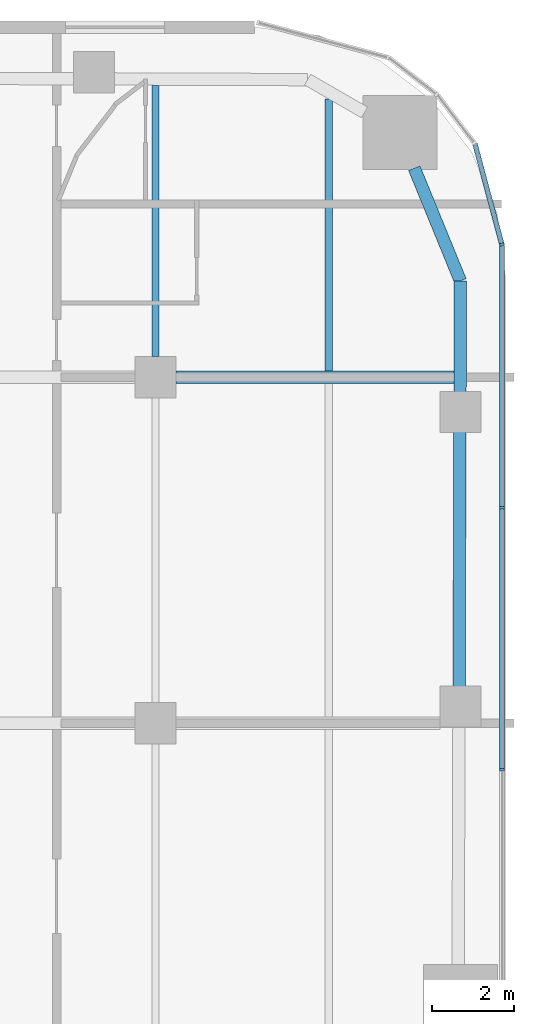
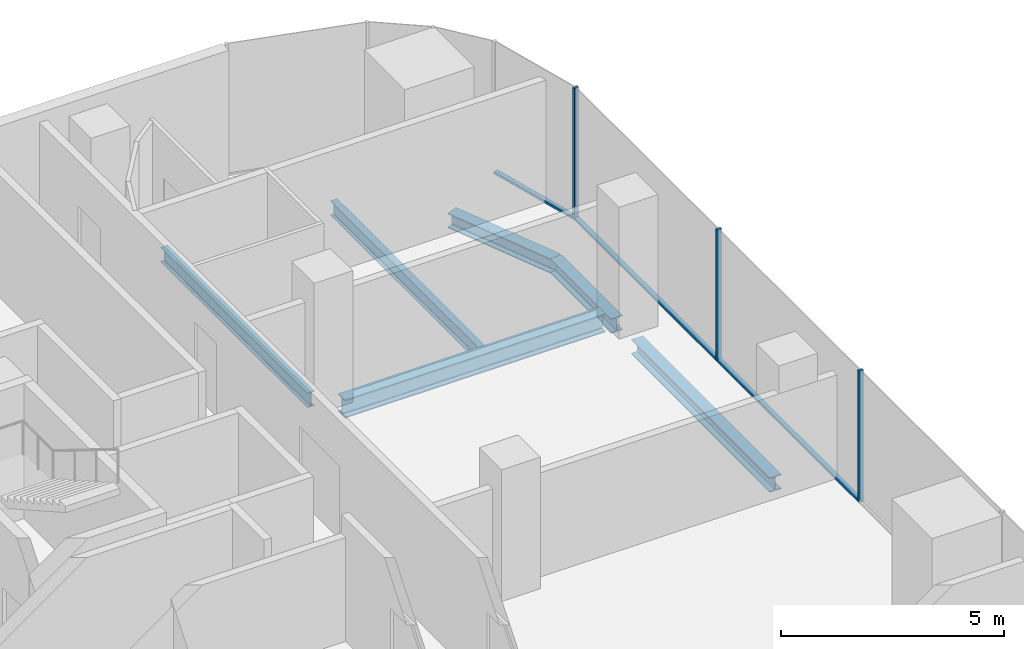
# One storey, part 13 of 27: 6 beams, 6 members, 2 elements without a shape of their own.
"""IFC4 building model written with IfcOpenShell, lengths in metres."""

from ifc_helpers import new_model, si_unit, direction, frame, origin, origin_2d, place, context, subcontext, project, spatial, rectangle, i_section, extrude, material, layer, layer_set, material_profile, profile_set, type_object, element, aggregate, save


model = new_model("IFC4")

# Units and contexts
model_context = context("Model", 3, precision=1e-05, world=origin(), true_north=direction((0.0, 1.0)))
body_context = subcontext(model_context, "Body", "Model", "MODEL_VIEW")
ifc_project = project(units=[si_unit("LENGTHUNIT", "METRE"), si_unit("AREAUNIT", "SQUARE_METRE"), si_unit("VOLUMEUNIT", "CUBIC_METRE"), si_unit("PLANEANGLEUNIT", "RADIAN"), si_unit("MASSUNIT", "GRAM", prefix="KILO")], contexts=[model_context])

# Site, building, storey
site_placement = place(None, origin())
site = spatial("IfcSite", under=ifc_project, at=site_placement, CompositionType="ELEMENT")
building_placement = place(site_placement, origin())
building = spatial("IfcBuilding", under=site, at=building_placement, Name="Marenta Gate Hotel Tower", CompositionType="ELEMENT")
storey_placement = place(building_placement, frame((0.0, 0.0, 36.5)))
storey = spatial("IfcBuildingStorey", under=building, at=storey_placement, Name="L06", CompositionType="ELEMENT", Elevation=36.5)

# Beams
ifc_material_1 = material(Name="Steel S355", Category="steel")
ifc_material_profile_1 = material_profile(ifc_material_1, i_section(OverallWidth=0.300048828125, OverallDepth=0.39990234375, WebThickness=0.013427734375, FlangeThickness=0.02392578125, FilletRadius=0.027099609375, at=origin_2d()), Name="HEB 400")
ifc_profile_set_1 = profile_set([ifc_material_profile_1], Name="Steel S355")
beam_type_1 = type_object("IfcBeamType", Name="Edge beam HEB 400", PredefinedType="SPANDREL", material=ifc_profile_set_1)
beam_1_placement = place(storey_placement, frame((27.280029296875, 30.2724609375, -0.35009765625), z_axis=(0.378565359962, -0.925574561144, 0.0), x_axis=(0.925574561144, 0.378565359962, 0.0)))
element("IfcBeam", 1, at=beam_1_placement, inside=storey, type_object=beam_type_1, Name="L06-EB-21", PredefinedType="SPANDREL", context=body_context, shape_type="SweptSolid", body=[
    extrude(i_section(OverallWidth=0.300048828125, OverallDepth=0.39990234375, WebThickness=0.013427734375, FlangeThickness=0.02392578125, FilletRadius=0.027099609375, at=origin_2d()), origin(), (0.0, 0.0, 1.0), 2.958251953125),
])
beam_2_placement = place(storey_placement, frame((28.39990234375, 27.534423828125, -0.35009765625), z_axis=(-0.003323434444, -0.999994477376, 0.0), x_axis=(0.999994477376, -0.003323434444, 0.0)))
element("IfcBeam", 2, at=beam_2_placement, inside=storey, type_object=beam_type_1, Name="L06-EB-22", PredefinedType="SPANDREL", context=body_context, shape_type="SweptSolid", body=[
    extrude(i_section(OverallWidth=0.300048828125, OverallDepth=0.39990234375, WebThickness=0.013427734375, FlangeThickness=0.02392578125, FilletRadius=0.027099609375, at=origin_2d()), origin(), (0.0, 0.0, 1.0), 2.718017578125),
])
beam_3_placement = place(storey_placement, frame((28.387939453125, 23.896484375, -0.35009765625), z_axis=(-0.003329137121, -0.999994458408, 0.0), x_axis=(0.999994458408, -0.003329137121, 0.0)))
element("IfcBeam", 3, at=beam_3_placement, inside=storey, type_object=beam_type_1, Name="L06-EB-23", PredefinedType="SPANDREL", context=body_context, shape_type="SweptSolid", body=[
    extrude(i_section(OverallWidth=0.300048828125, OverallDepth=0.39990234375, WebThickness=0.013427734375, FlangeThickness=0.02392578125, FilletRadius=0.027099609375, at=origin_2d()), origin(), (0.0, 0.0, 1.0), 6.2333984375),
])
ifc_material_2 = material(Name="Steel S355", Category="steel")
ifc_material_profile_2 = material_profile(ifc_material_2, i_section(OverallWidth=0.179931640625, OverallDepth=0.39990234375, WebThickness=0.008544921875, FlangeThickness=0.013427734375, FilletRadius=0.02099609375, at=origin_2d()), Name="IPE 400")
ifc_profile_set_2 = profile_set([ifc_material_profile_2], Name="Steel S355")
beam_type_2 = type_object("IfcBeamType", Name="Floor beam IPE 400", PredefinedType="JOIST", material=ifc_profile_set_2)
beam_4_placement = place(storey_placement, frame((21.0, 25.699951171875, -0.35009765625), z_axis=(0.0, 1.0, 0.0), x_axis=(-1.0, 0.0, 0.0)))
element("IfcBeam", 4, at=beam_4_placement, inside=storey, type_object=beam_type_2, Name="L06-FB-65", PredefinedType="JOIST", context=body_context, shape_type="SweptSolid", body=[
    extrude(i_section(OverallWidth=0.179931640625, OverallDepth=0.39990234375, WebThickness=0.008544921875, FlangeThickness=0.013427734375, FilletRadius=0.02099609375, at=origin_2d()), origin(), (0.0, 0.0, 1.0), 6.585205078125),
])
beam_5_placement = place(storey_placement, frame((25.199951171875, 25.35009765625, -0.35009765625), z_axis=(0.0, 1.0, 0.0), x_axis=(-1.0, 0.0, 0.0)))
element("IfcBeam", 5, at=beam_5_placement, inside=storey, type_object=beam_type_2, Name="L06-FB-71", PredefinedType="JOIST", context=body_context, shape_type="SweptSolid", body=[
    extrude(i_section(OverallWidth=0.179931640625, OverallDepth=0.39990234375, WebThickness=0.008544921875, FlangeThickness=0.013427734375, FilletRadius=0.02099609375, at=origin_2d()), origin(), (0.0, 0.0, 1.0), 6.604736328125),
])
ifc_material_3 = material(Name="Steel S355", Category="steel")
ifc_material_profile_3 = material_profile(ifc_material_3, i_section(OverallWidth=0.300048828125, OverallDepth=0.5, WebThickness=0.014404296875, FlangeThickness=0.028076171875, FilletRadius=0.027099609375, at=origin_2d()), Name="HEB 500")
ifc_profile_set_3 = profile_set([ifc_material_profile_3], Name="Steel S355")
beam_type_3 = type_object("IfcBeamType", Name="Girder HEB 500", PredefinedType="BEAM", material=ifc_profile_set_3)
beam_6_placement = place(storey_placement, frame((21.5, 25.199951171875, -0.39990234375), z_axis=(1.0, 0.0, 0.0), x_axis=(0.0, 1.0, 0.0)))
element("IfcBeam", 6, at=beam_6_placement, inside=storey, type_object=beam_type_3, Name="L06-GD-28", PredefinedType="BEAM", context=body_context, shape_type="SweptSolid", body=[
    extrude(i_section(OverallWidth=0.300048828125, OverallDepth=0.5, WebThickness=0.014404296875, FlangeThickness=0.028076171875, FilletRadius=0.027099609375, at=origin_2d()), origin(), (0.0, 0.0, 1.0), 6.7421875),
])

# Curtain wall, members
ifc_material_4 = material(Name="Tinted insulated glass in bronze anodised frame", Category="glass")
ifc_layer = layer(ifc_material_4, 0.1201171875)
ifc_layer_set = layer_set([ifc_layer], Name="Tinted insulated glass in bronze anodised frame")
curtain_wall_type = type_object("IfcCurtainWallType", Name="Tower unitised curtain wall CW1", PredefinedType="NOTDEFINED", material=ifc_layer_set)
curtain_wall_1_placement = place(storey_placement, origin())
curtain_wall_1 = element("IfcCurtainWall", 7, at=curtain_wall_1_placement, inside=storey, type_object=curtain_wall_type, Name="CW1 run G11", PredefinedType="NOTDEFINED")
ifc_material_5 = material(Name="Bronze anodised aluminium", Category="aluminium")
ifc_material_profile_4 = material_profile(ifc_material_5, rectangle(XDim=0.1201171875, YDim=0.06005859375, at=origin_2d()), Name="Mullion CW1 60x120 bronze anodised aluminium")
ifc_profile_set_4 = profile_set([ifc_material_profile_4], Name="Bronze anodised aluminium")
member_type_1 = type_object("IfcMemberType", Name="Mullion CW1 60x120 bronze anodised aluminium", PredefinedType="MULLION", material=ifc_profile_set_4)
member_1_placement = place(storey_placement, frame((29.4140625, 15.671875, 0.0), z_axis=(0.0, 0.0, 1.0), x_axis=(-1.0, 0.0, 0.0)))
member_1 = element("IfcMember", 8, at=member_1_placement, type_object=member_type_1, Name="CW1 mullion 5", PredefinedType="MULLION", context=body_context, shape_type="SweptSolid", body=[
    extrude(rectangle(XDim=0.1201171875, YDim=0.06005859375, at=origin_2d()), origin(), (0.0, 0.0, 1.0), 3.60009765625),
])
member_2_placement = place(storey_placement, frame((29.4140625, 22.031982421875, 0.0), z_axis=(0.0, 0.0, 1.0), x_axis=(-1.0, 0.0, 0.0)))
member_2 = element("IfcMember", 9, at=member_2_placement, type_object=member_type_1, Name="CW1 mullion 6", PredefinedType="MULLION", context=body_context, shape_type="SweptSolid", body=[
    extrude(rectangle(XDim=0.1201171875, YDim=0.06005859375, at=origin_2d()), origin(), (0.0, 0.0, 1.0), 3.60009765625),
])

# Curtain wall, member
curtain_wall_2_placement = place(storey_placement, origin())
curtain_wall_2 = element("IfcCurtainWall", 10, at=curtain_wall_2_placement, inside=storey, type_object=curtain_wall_type, Name="CW1 run G12", PredefinedType="NOTDEFINED")
member_3_placement = place(storey_placement, frame((29.40625, 28.4208984375, 0.0), z_axis=(0.0, 0.0, 1.0), x_axis=(-0.965925039579, -0.258821981125, 0.0)))
member_3 = element("IfcMember", 11, at=member_3_placement, type_object=member_type_1, Name="CW1 mullion 1", PredefinedType="MULLION", context=body_context, shape_type="SweptSolid", body=[
    extrude(rectangle(XDim=0.1201171875, YDim=0.06005859375, at=origin_2d()), origin(), (0.0, 0.0, 1.0), 3.60009765625),
])

# Member
ifc_material_6 = material(Name="Bronze anodised aluminium", Category="aluminium")
ifc_material_profile_5 = material_profile(ifc_material_6, rectangle(XDim=0.1201171875, YDim=0.06005859375, at=origin_2d()), Name="Transom CW1 60x120 bronze anodised aluminium")
ifc_profile_set_5 = profile_set([ifc_material_profile_5], Name="Bronze anodised aluminium")
member_type_2 = type_object("IfcMemberType", Name="Transom CW1 60x120 bronze anodised aluminium", PredefinedType="USERDEFINED", material=ifc_profile_set_5)
member_4_placement = place(storey_placement, frame((29.4140625, 15.701904296875, 0.030029296875), z_axis=(0.0, 1.0, 0.0), x_axis=(-1.0, 0.0, 0.0)))
member_4 = element("IfcMember", 12, at=member_4_placement, type_object=member_type_2, Name="CW1 transom 5.1", ObjectType="TRANSOM", PredefinedType="USERDEFINED", context=body_context, shape_type="SweptSolid", body=[
    extrude(rectangle(XDim=0.1201171875, YDim=0.06005859375, at=origin_2d()), origin(), (0.0, 0.0, 1.0), 6.300048828125),
])

member_5_placement = place(storey_placement, frame((29.4140625, 22.06201171875, 0.030029296875), z_axis=(0.0, 1.0, 0.0), x_axis=(-1.0, 0.0, 0.0)))
member_5 = element("IfcMember", 13, at=member_5_placement, type_object=member_type_2, Name="CW1 transom 6.1", ObjectType="TRANSOM", PredefinedType="USERDEFINED", context=body_context, shape_type="SweptSolid", body=[
    extrude(rectangle(XDim=0.1201171875, YDim=0.06005859375, at=origin_2d()), origin(), (0.0, 0.0, 1.0), 6.329833984375),
])

aggregate(curtain_wall_1, [member_1, member_2, member_4, member_5])

member_6_placement = place(storey_placement, frame((29.3984375, 28.449951171875, 0.030029296875), z_axis=(-0.258859731326, 0.96591492353, 0.0), x_axis=(-0.96591492353, -0.258859731326, 0.0)))
member_6 = element("IfcMember", 14, at=member_6_placement, type_object=member_type_2, Name="CW1 transom 1.1", ObjectType="TRANSOM", PredefinedType="USERDEFINED", context=body_context, shape_type="SweptSolid", body=[
    extrude(rectangle(XDim=0.1201171875, YDim=0.06005859375, at=origin_2d()), origin(), (0.0, 0.0, 1.0), 2.500244140625),
])

aggregate(curtain_wall_2, [member_3, member_6])

save(model, "model.ifc")
